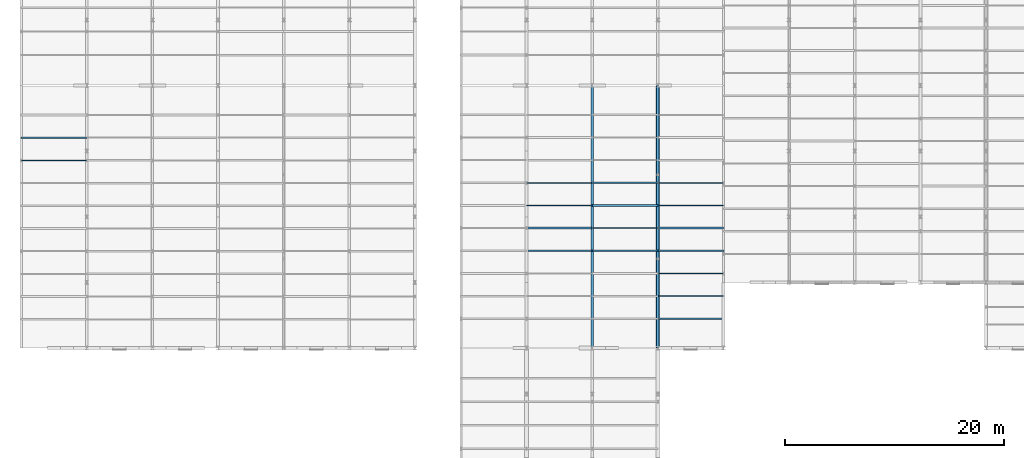
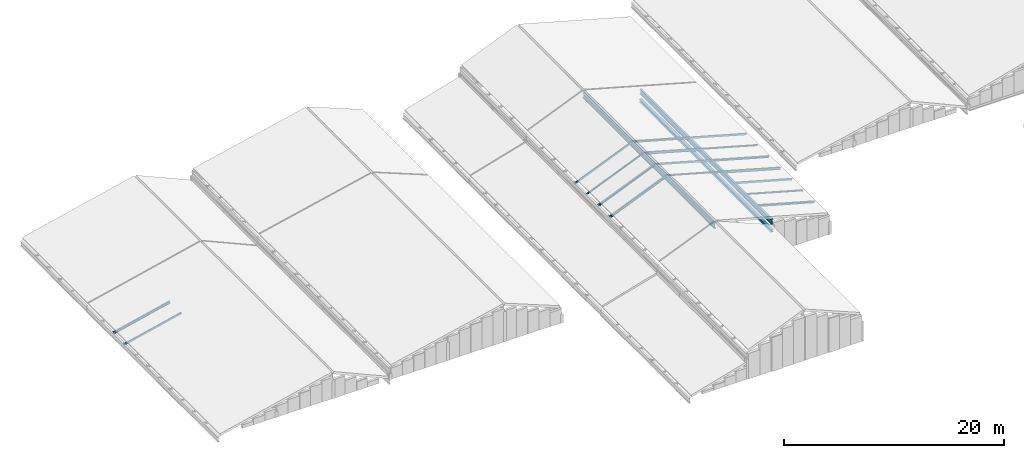
# One storey, part 4 of 74: 18 members, 2 beams.
"""IFC4 building model written with IfcOpenShell, lengths in metres."""

from ifc_helpers import new_model, si_unit, direction, frame, origin, origin_2d, place, context, subcontext, project, spatial, hollow_rectangle, i_section, extrude, material, material_profile, profile_set, type_object, element, save


model = new_model("IFC4")

# Units and contexts
model_context = context("Model", 3, precision=1e-05, world=origin(), true_north=direction((0.0, 1.0)))
body_context = subcontext(model_context, "Body", "Model", "MODEL_VIEW")
ifc_project = project(units=[si_unit("LENGTHUNIT", "METRE"), si_unit("AREAUNIT", "SQUARE_METRE"), si_unit("VOLUMEUNIT", "CUBIC_METRE"), si_unit("PLANEANGLEUNIT", "RADIAN"), si_unit("MASSUNIT", "GRAM", prefix="KILO")], contexts=[model_context])

# Site, building, storey
site_placement = place(None, origin())
site = spatial("IfcSite", under=ifc_project, at=site_placement, CompositionType="ELEMENT")
building_placement = place(site_placement, origin())
building = spatial("IfcBuilding", under=site, at=building_placement, Name="Siltcreek Boulevard Central Fire Station", CompositionType="ELEMENT")
storey_placement = place(building_placement, frame((0.0, 0.0, 25.199951171875)))
storey = spatial("IfcBuildingStorey", under=building, at=storey_placement, Name="RF", CompositionType="ELEMENT", Elevation=25.199951171875)

# Beams
ifc_material_1 = material(Name="Structural steel ASTM A992 Gr50", Category="steel")
ifc_material_profile_1 = material_profile(ifc_material_1, i_section(OverallWidth=0.2109375, OverallDepth=0.5390625, WebThickness=0.01171875, FlangeThickness=0.018798828125, at=origin_2d()), Name="W530X109")
ifc_profile_set_1 = profile_set([ifc_material_profile_1], Name="Structural steel ASTM A992 Gr50")
beam_type = type_object("IfcBeamType", Name="BM_W530X109", PredefinedType="BEAM", material=ifc_profile_set_1)
for number, where, z_axis, x_axis, name in (
    (1, (54.0, 18.010009765625, -10.21044921875), (0.0, 1.0, 0.0), (-1.0, 0.0, 0.0), "Pitched roof rafter beam RFB-011"),
    (2, (60.0, 18.010009765625, -11.85693359375), (0.0, 1.0, 0.0), (-1.0, 0.0, 0.0), "Pitched roof rafter beam RFB-012"),
):
    element("IfcBeam", number, at=place(storey_placement, frame(where, z_axis=z_axis, x_axis=x_axis)), inside=storey, type_object=beam_type, Name=name, PredefinedType="BEAM", context=body_context, shape_type="SweptSolid", body=[
        extrude(i_section(OverallWidth=0.2109375, OverallDepth=0.5390625, WebThickness=0.01171875, FlangeThickness=0.018798828125, at=origin_2d()), origin(), (0.0, 0.0, 1.0), 23.97998046875),
    ])

# Members
ifc_material_profile_2 = material_profile(ifc_material_1, i_section(OverallWidth=0.304931640625, OverallDepth=0.30810546875, WebThickness=0.010009765625, FlangeThickness=0.015380859375, at=origin_2d()), Name="W310X97")
ifc_profile_set_2 = profile_set([ifc_material_profile_2], Name="Structural steel ASTM A992 Gr50")
member_type_1 = type_object("IfcMemberType", Name="CH_W310X97", PredefinedType="CHORD", material=ifc_profile_set_2)
member_1_placement = place(storey_placement, frame((60.0, 18.010009765625, -12.846435546875), z_axis=(0.0, 1.0, 0.0), x_axis=(-1.0, 0.0, 0.0)))
element("IfcMember", 3, at=member_1_placement, inside=storey, type_object=member_type_1, Name="Roof truss bottom chord CH-001", PredefinedType="CHORD", context=body_context, shape_type="SweptSolid", body=[
    extrude(i_section(OverallWidth=0.304931640625, OverallDepth=0.30810546875, WebThickness=0.010009765625, FlangeThickness=0.015380859375, at=origin_2d()), origin(), (0.0, 0.0, 1.0), 23.97998046875),
])
ifc_material_2 = material(Name="Structural steel ASTM A500 GrC", Category="steel")
ifc_material_profile_3 = material_profile(ifc_material_2, hollow_rectangle(XDim=0.10009765625, YDim=0.199951171875, WallThickness=0.00634765625, at=origin_2d()), Name="HSS200X100X6.4")
ifc_profile_set_3 = profile_set([ifc_material_profile_3], Name="Structural steel ASTM A500 GrC")
member_type_2 = type_object("IfcMemberType", Name="PR_HSS200X100", PredefinedType="PURLIN", material=ifc_profile_set_3)
member_2_placement = place(storey_placement, frame((48.010009765625, 33.1064453125, -12.489013671875), z_axis=(0.923074693136, 0.0, 0.384620736431), x_axis=(0.0, 1.0, 0.0)))
element("IfcMember", 4, at=member_2_placement, inside=storey, type_object=member_type_2, Name="Sloped roof purlin PR-0039", PredefinedType="PURLIN", context=body_context, shape_type="SweptSolid", body=[
    extrude(hollow_rectangle(XDim=0.10009765625, YDim=0.199951171875, WallThickness=0.00634765625, at=origin_2d()), origin(), (0.0, 0.0, 1.0), 6.478271484375),
])
for number, where, z_axis, x_axis, name in (
    (5, (54.010009765625, 28.964599609375, -9.980224609375), (0.963171200032, 0.0, -0.268888897927), (0.0, 1.0, 0.0), "Sloped roof purlin PR-0047"),
    (6, (60.010009765625, 24.82275390625, -11.655029296875), (0.963171200032, 0.0, -0.268888897927), (0.0, 1.0, 0.0), "Sloped roof purlin PR-0055"),
    (7, (60.010009765625, 33.1064453125, -11.655029296875), (0.963171200032, 0.0, -0.268888897927), (0.0, 1.0, 0.0), "Sloped roof purlin PR-0059"),
):
    element("IfcMember", number, at=place(storey_placement, frame(where, z_axis=z_axis, x_axis=x_axis)), inside=storey, type_object=member_type_2, Name=name, PredefinedType="PURLIN", context=body_context, shape_type="SweptSolid", body=[
        extrude(hollow_rectangle(XDim=0.10009765625, YDim=0.199951171875, WallThickness=0.00634765625, at=origin_2d()), origin(), (0.0, 0.0, 1.0), 6.208740234375),
    ])
member_3_placement = place(storey_placement, frame((1.81005859375, 35.160888671875, -15.470947265625), z_axis=(0.973843555816, 0.0, 0.227219560769), x_axis=(0.0, 1.0, 0.0)))
element("IfcMember", 8, at=member_3_placement, inside=storey, type_object=member_type_2, Name="Sloped roof purlin PR-0191", PredefinedType="PURLIN", context=body_context, shape_type="SweptSolid", body=[
    extrude(hollow_rectangle(XDim=0.10009765625, YDim=0.199951171875, WallThickness=0.00634765625, at=origin_2d()), origin(), (0.0, 0.0, 1.0), 6.140625),
])
ifc_material_profile_4 = material_profile(ifc_material_1, i_section(OverallWidth=0.10205078125, OverallDepth=0.159912109375, WebThickness=0.006591796875, FlangeThickness=0.01025390625, at=origin_2d()), Name="W150X24")
ifc_profile_set_4 = profile_set([ifc_material_profile_4], Name="Structural steel ASTM A992 Gr50")
member_type_3 = type_object("IfcMemberType", Name="PR_W150X24", PredefinedType="PURLIN", material=ifc_profile_set_4)
member_4_placement = place(storey_placement, frame((48.010009765625, 31.035400390625, -12.46728515625), z_axis=(0.923074693136, 0.0, 0.384620736431), x_axis=(0.0, 1.0, 0.0)))
element("IfcMember", 9, at=member_4_placement, inside=storey, type_object=member_type_3, Name="Sloped roof purlin PR-0038", PredefinedType="PURLIN", context=body_context, shape_type="SweptSolid", body=[
    extrude(i_section(OverallWidth=0.10205078125, OverallDepth=0.159912109375, WebThickness=0.006591796875, FlangeThickness=0.01025390625, at=origin_2d()), origin(), (0.0, 0.0, 1.0), 6.478271484375),
])
member_5_placement = place(storey_placement, frame((54.010009765625, 26.8935546875, -9.95947265625), z_axis=(0.96318138349, 0.0, -0.268852417691), x_axis=(0.0, 1.0, 0.0)))
element("IfcMember", 10, at=member_5_placement, inside=storey, type_object=member_type_3, Name="Sloped roof purlin PR-0046", PredefinedType="PURLIN", context=body_context, shape_type="SweptSolid", body=[
    extrude(i_section(OverallWidth=0.10205078125, OverallDepth=0.159912109375, WebThickness=0.006591796875, FlangeThickness=0.01025390625, at=origin_2d()), origin(), (0.0, 0.0, 1.0), 6.20849609375),
])
for number, where, z_axis, x_axis, name in (
    (11, (60.010009765625, 22.751708984375, -11.63427734375), (0.963171200032, 0.0, -0.268888897927), (0.0, 1.0, 0.0), "Sloped roof purlin PR-0054"),
    (12, (60.010009765625, 31.035400390625, -11.63427734375), (0.963171200032, 0.0, -0.268888897927), (0.0, 1.0, 0.0), "Sloped roof purlin PR-0058"),
):
    element("IfcMember", number, at=place(storey_placement, frame(where, z_axis=z_axis, x_axis=x_axis)), inside=storey, type_object=member_type_3, Name=name, PredefinedType="PURLIN", context=body_context, shape_type="SweptSolid", body=[
        extrude(i_section(OverallWidth=0.10205078125, OverallDepth=0.159912109375, WebThickness=0.006591796875, FlangeThickness=0.01025390625, at=origin_2d()), origin(), (0.0, 0.0, 1.0), 6.208740234375),
    ])
ifc_material_profile_5 = material_profile(ifc_material_1, i_section(OverallWidth=0.1650390625, OverallDepth=0.200927734375, WebThickness=0.006103515625, FlangeThickness=0.01025390625, at=origin_2d()), Name="W200X36")
ifc_profile_set_5 = profile_set([ifc_material_profile_5], Name="Structural steel ASTM A992 Gr50")
member_type_4 = type_object("IfcMemberType", Name="PR_W200X36", PredefinedType="PURLIN", material=ifc_profile_set_5)
member_6_placement = place(storey_placement, frame((48.010009765625, 28.964599609375, -12.489501953125), z_axis=(0.923074693136, 0.0, 0.384620736431), x_axis=(0.0, 1.0, 0.0)))
element("IfcMember", 13, at=member_6_placement, inside=storey, type_object=member_type_4, Name="Sloped roof purlin PR-0037", PredefinedType="PURLIN", context=body_context, shape_type="SweptSolid", body=[
    extrude(i_section(OverallWidth=0.1650390625, OverallDepth=0.200927734375, WebThickness=0.006103515625, FlangeThickness=0.01025390625, at=origin_2d()), origin(), (0.0, 0.0, 1.0), 6.478271484375),
])
member_7_placement = place(storey_placement, frame((54.010009765625, 33.1064453125, -9.980712890625), z_axis=(0.963171200032, 0.0, -0.268888897927), x_axis=(0.0, 1.0, 0.0)))
element("IfcMember", 14, at=member_7_placement, inside=storey, type_object=member_type_4, Name="Sloped roof purlin PR-0049", PredefinedType="PURLIN", context=body_context, shape_type="SweptSolid", body=[
    extrude(i_section(OverallWidth=0.1650390625, OverallDepth=0.200927734375, WebThickness=0.006103515625, FlangeThickness=0.01025390625, at=origin_2d()), origin(), (0.0, 0.0, 1.0), 6.208740234375),
])
for number, where, z_axis, x_axis, name in (
    (15, (60.010009765625, 20.680908203125, -11.65576171875), (0.96318138349, 0.0, -0.268852417691), (0.0, 1.0, 0.0), "Sloped roof purlin PR-0053"),
    (16, (60.010009765625, 28.964599609375, -11.65576171875), (0.96318138349, 0.0, -0.268852417691), (0.0, 1.0, 0.0), "Sloped roof purlin PR-0057"),
):
    element("IfcMember", number, at=place(storey_placement, frame(where, z_axis=z_axis, x_axis=x_axis)), inside=storey, type_object=member_type_4, Name=name, PredefinedType="PURLIN", context=body_context, shape_type="SweptSolid", body=[
        extrude(i_section(OverallWidth=0.1650390625, OverallDepth=0.200927734375, WebThickness=0.006103515625, FlangeThickness=0.01025390625, at=origin_2d()), origin(), (0.0, 0.0, 1.0), 6.20849609375),
    ])
ifc_material_profile_6 = material_profile(ifc_material_1, i_section(OverallWidth=0.14697265625, OverallDepth=0.261962890625, WebThickness=0.006591796875, FlangeThickness=0.01123046875, at=origin_2d()), Name="W250X39")
ifc_profile_set_6 = profile_set([ifc_material_profile_6], Name="Structural steel ASTM A992 Gr50")
member_type_5 = type_object("IfcMemberType", Name="PR_W250X39", PredefinedType="PURLIN", material=ifc_profile_set_6)
member_8_placement = place(storey_placement, frame((48.010009765625, 26.8935546875, -12.5224609375), z_axis=(0.923074693136, 0.0, 0.384620736431), x_axis=(0.0, 1.0, 0.0)))
element("IfcMember", 17, at=member_8_placement, inside=storey, type_object=member_type_5, Name="Sloped roof purlin PR-0036", PredefinedType="PURLIN", context=body_context, shape_type="SweptSolid", body=[
    extrude(i_section(OverallWidth=0.14697265625, OverallDepth=0.261962890625, WebThickness=0.006591796875, FlangeThickness=0.01123046875, at=origin_2d()), origin(), (0.0, 0.0, 1.0), 6.478271484375),
])
for number, where, z_axis, x_axis, name in (
    (18, (54.010009765625, 31.035400390625, -10.01220703125), (0.963171200032, 0.0, -0.268888897927), (0.0, 1.0, 0.0), "Sloped roof purlin PR-0048"),
    (19, (60.010009765625, 26.8935546875, -11.687255859375), (0.963171200032, 0.0, -0.268888897927), (0.0, 1.0, 0.0), "Sloped roof purlin PR-0056"),
):
    element("IfcMember", number, at=place(storey_placement, frame(where, z_axis=z_axis, x_axis=x_axis)), inside=storey, type_object=member_type_5, Name=name, PredefinedType="PURLIN", context=body_context, shape_type="SweptSolid", body=[
        extrude(i_section(OverallWidth=0.14697265625, OverallDepth=0.261962890625, WebThickness=0.006591796875, FlangeThickness=0.01123046875, at=origin_2d()), origin(), (0.0, 0.0, 1.0), 6.208740234375),
    ])
member_9_placement = place(storey_placement, frame((1.81005859375, 37.2373046875, -15.5029296875), z_axis=(0.973834757562, 0.0, 0.227257266033), x_axis=(0.0, 1.0, 0.0)))
element("IfcMember", 20, at=member_9_placement, inside=storey, type_object=member_type_5, Name="Sloped roof purlin PR-0192", PredefinedType="PURLIN", context=body_context, shape_type="SweptSolid", body=[
    extrude(i_section(OverallWidth=0.14697265625, OverallDepth=0.261962890625, WebThickness=0.006591796875, FlangeThickness=0.01123046875, at=origin_2d()), origin(), (0.0, 0.0, 1.0), 6.140625),
])

save(model, "model.ifc")
